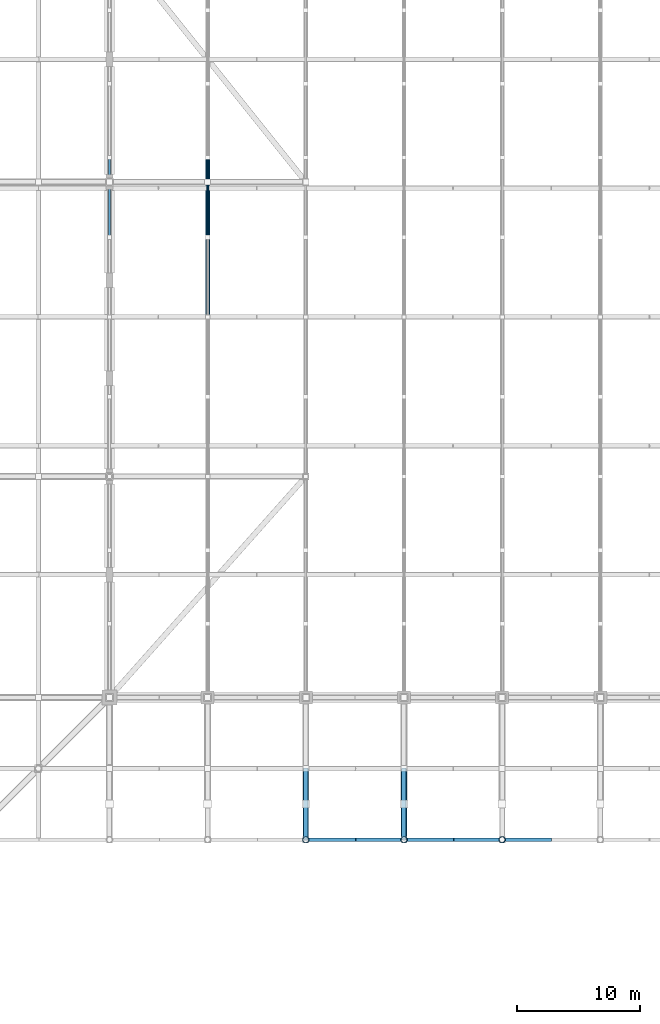
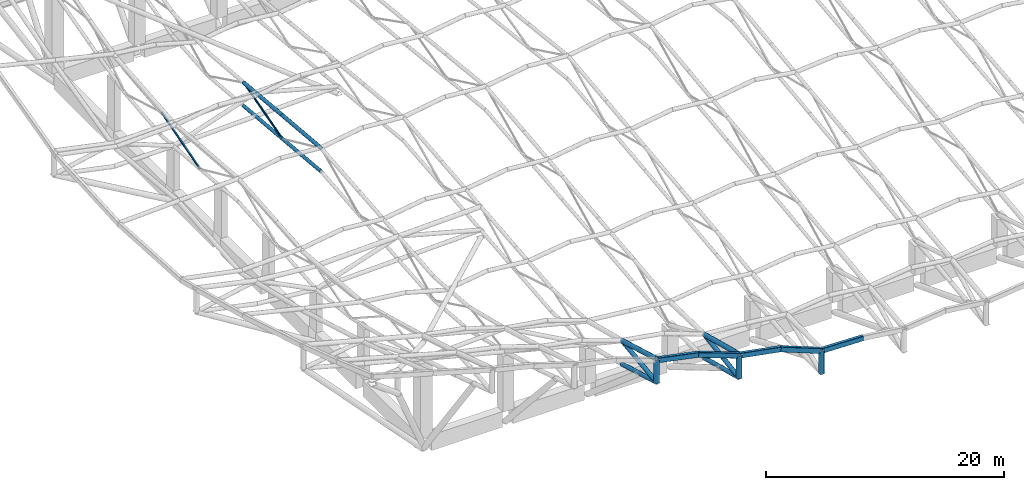
# One storey, part 4 of 75: 15 members, 5 beams.
"""IFC4 building model written with IfcOpenShell, lengths in metres."""

from ifc_helpers import new_model, si_unit, direction, frame, origin, origin_2d, place, context, subcontext, project, spatial, hollow_rectangle, hollow_circle, extrude, material, material_profile, profile_set, type_object, element, save


model = new_model("IFC4")

# Units and contexts
model_context = context("Model", 3, precision=1e-05, world=origin(), true_north=direction((0.0, 1.0)))
body_context = subcontext(model_context, "Body", "Model", "MODEL_VIEW")
ifc_project = project(units=[si_unit("LENGTHUNIT", "METRE"), si_unit("AREAUNIT", "SQUARE_METRE"), si_unit("VOLUMEUNIT", "CUBIC_METRE"), si_unit("PLANEANGLEUNIT", "RADIAN"), si_unit("MASSUNIT", "GRAM", prefix="KILO")], contexts=[model_context])

# Site, building, storey
site_placement = place(None, origin())
site = spatial("IfcSite", under=ifc_project, at=site_placement, CompositionType="ELEMENT")
building_placement = place(site_placement, origin())
building = spatial("IfcBuilding", under=site, at=building_placement, Name="Khorjan Park Terminus", CompositionType="ELEMENT")
storey_placement = place(building_placement, frame((0.0, 0.0, 16.2)))
storey = spatial("IfcBuildingStorey", under=building, at=storey_placement, Name="L03", CompositionType="ELEMENT", Elevation=16.2)

# Members
ifc_material = material(Name="Steel S355", Category="steel")
ifc_material_profile_1 = material_profile(ifc_material, hollow_circle(Radius=0.0969, WallThickness=0.01, at=origin_2d()), Name="CHS 193.7x10")
ifc_profile_set_1 = profile_set([ifc_material_profile_1], Name="Steel S355")
member_type_1 = type_object("IfcMemberType", Name="MB-BR-194", PredefinedType="BRACE", material=ifc_profile_set_1)
member_1_placement = place(storey_placement, frame((56.0, 63.5, 4.8636), z_axis=(0.0, 0.96311775067, 0.269080282341), x_axis=(-1.0, 0.0, 0.0)))
element("IfcMember", 1, at=member_1_placement, inside=storey, type_object=member_type_1, Name="Upper shell fold space-truss web diagonal (2)", PredefinedType="BRACE", context=body_context, shape_type="SweptSolid", body=[
    extrude(hollow_circle(Radius=0.0969, WallThickness=0.01, at=origin_2d()), origin(), (0.0, 0.0, 1.0), 6.7489),
])
ifc_material_profile_2 = material_profile(ifc_material, hollow_rectangle(XDim=0.15, YDim=0.15, WallThickness=0.01, InnerFilletRadius=0.01, OuterFilletRadius=0.02, at=origin_2d()), Name="SHS 150x150x10")
ifc_profile_set_2 = profile_set([ifc_material_profile_2], Name="Steel S355")
member_type_2 = type_object("IfcMemberType", Name="MB-BR-SHS150", PredefinedType="BRACE", material=ifc_profile_set_2)
member_2_placement = place(storey_placement, frame((48.0, 63.5, 4.5675), z_axis=(0.0, 0.961047706575, 0.276382535062), x_axis=(-1.0, 0.0, 0.0)))
element("IfcMember", 2, at=member_2_placement, inside=storey, type_object=member_type_2, Name="Upper shell fold space-truss web diagonal (1)", PredefinedType="BRACE", context=body_context, shape_type="SweptSolid", body=[
    extrude(hollow_rectangle(XDim=0.15, YDim=0.15, WallThickness=0.01, InnerFilletRadius=0.01, OuterFilletRadius=0.02, at=origin_2d()), origin(), (0.0, 0.0, 1.0), 6.7635),
])
ifc_material_profile_3 = material_profile(ifc_material, hollow_circle(Radius=0.162, WallThickness=0.0125, at=origin_2d()), Name="CHS 323.9x12.5")
ifc_profile_set_3 = profile_set([ifc_material_profile_3], Name="Steel S355")
member_type_3 = type_object("IfcMemberType", Name="MB-CH-324", PredefinedType="CHORD", material=ifc_profile_set_3)
for number, where, z_axis, x_axis, name in (
    (3, (56.0, 57.0, 5.4476), (0.0, 0.995988107043, -0.089485700694), (-1.0, 0.0, 0.0), "Upper shell fold space-truss bottom chord (2)"),
    (4, (56.0, 63.5, 4.8636), (0.0, 0.995988107043, -0.089485700694), (-1.0, 0.0, 0.0), "Upper shell fold space-truss bottom chord (2)"),
):
    element("IfcMember", number, at=place(storey_placement, frame(where, z_axis=z_axis, x_axis=x_axis)), inside=storey, type_object=member_type_3, Name=name, PredefinedType="CHORD", context=body_context, shape_type="SweptSolid", body=[
        extrude(hollow_circle(Radius=0.162, WallThickness=0.0125, at=origin_2d()), origin(), (0.0, 0.0, 1.0), 6.5262),
    ])
ifc_material_profile_4 = material_profile(ifc_material, hollow_circle(Radius=0.1778, WallThickness=0.016, at=origin_2d()), Name="CHS 355.6x16")
ifc_profile_set_4 = profile_set([ifc_material_profile_4], Name="Steel S355")
member_type_4 = type_object("IfcMemberType", Name="MB-CH-356", PredefinedType="CHORD", material=ifc_profile_set_4)
for number, where, z_axis, x_axis, name in (
    (5, (56.0, 57.0, 7.8476), (0.0, 0.995988107043, -0.089485700694), (-1.0, 0.0, 0.0), "Upper shell fold space-truss top chord (2)"),
    (6, (56.0, 63.5, 7.2636), (0.0, 0.995988107043, -0.089485700694), (-1.0, 0.0, 0.0), "Upper shell fold space-truss top chord (2)"),
):
    element("IfcMember", number, at=place(storey_placement, frame(where, z_axis=z_axis, x_axis=x_axis)), inside=storey, type_object=member_type_4, Name=name, PredefinedType="CHORD", context=body_context, shape_type="SweptSolid", body=[
        extrude(hollow_circle(Radius=0.1778, WallThickness=0.016, at=origin_2d()), origin(), (0.0, 0.0, 1.0), 6.5262),
    ])
ifc_material_profile_5 = material_profile(ifc_material, hollow_circle(Radius=0.2032, WallThickness=0.016, at=origin_2d()), Name="CHS 406.4x16")
ifc_profile_set_5 = profile_set([ifc_material_profile_5], Name="Steel S355")
member_type_5 = type_object("IfcMemberType", Name="MB-CHE-406", PredefinedType="CHORD", material=ifc_profile_set_5)
member_3_placement = place(storey_placement, frame((64.0, 14.4, 6.8305), z_axis=(0.0, 0.961512686437, -0.274760539052), x_axis=(-1.0, 0.0, 0.0)))
element("IfcMember", 7, at=member_3_placement, inside=storey, type_object=member_type_5, Name="Upper shell fold space-truss bottom chord (3)", PredefinedType="CHORD", context=body_context, shape_type="SweptSolid", body=[
    extrude(hollow_circle(Radius=0.2032, WallThickness=0.016, at=origin_2d()), origin(), (0.0, 0.0, 1.0), 6.0322),
])
member_4_placement = place(storey_placement, frame((72.0, 14.4, 4.5147), z_axis=(0.0, 0.967619044028, -0.252415105796), x_axis=(-1.0, 0.0, 0.0)))
element("IfcMember", 8, at=member_4_placement, inside=storey, type_object=member_type_5, Name="Upper shell fold space-truss bottom chord (4)", PredefinedType="CHORD", context=body_context, shape_type="SweptSolid", body=[
    extrude(hollow_circle(Radius=0.2032, WallThickness=0.016, at=origin_2d()), origin(), (0.0, 0.0, 1.0), 5.9941),
])
ifc_material_profile_6 = material_profile(ifc_material, hollow_circle(Radius=0.2285, WallThickness=0.016, at=origin_2d()), Name="CHS 457x16")
ifc_profile_set_6 = profile_set([ifc_material_profile_6], Name="Steel S355")
member_type_6 = type_object("IfcMemberType", Name="MB-CHE-457", PredefinedType="CHORD", material=ifc_profile_set_6)
member_5_placement = place(storey_placement, frame((64.0, 14.4, 9.2305), z_axis=(0.0, 0.961512686437, -0.274760539052), x_axis=(-1.0, 0.0, 0.0)))
element("IfcMember", 9, at=member_5_placement, inside=storey, type_object=member_type_6, Name="Upper shell fold space-truss top chord (3)", PredefinedType="CHORD", context=body_context, shape_type="SweptSolid", body=[
    extrude(hollow_circle(Radius=0.2285, WallThickness=0.016, at=origin_2d()), origin(), (0.0, 0.0, 1.0), 6.0322),
])
member_6_placement = place(storey_placement, frame((72.0, 14.4, 6.9147), z_axis=(0.0, 0.967619044028, -0.252415105796), x_axis=(-1.0, 0.0, 0.0)))
element("IfcMember", 10, at=member_6_placement, inside=storey, type_object=member_type_6, Name="Upper shell fold space-truss top chord (4)", PredefinedType="CHORD", context=body_context, shape_type="SweptSolid", body=[
    extrude(hollow_circle(Radius=0.2285, WallThickness=0.016, at=origin_2d()), origin(), (0.0, 0.0, 1.0), 5.9941),
])
ifc_material_profile_7 = material_profile(ifc_material, hollow_circle(Radius=0.2032, WallThickness=0.016, at=origin_2d()), Name="CHS 406.4x16")
ifc_profile_set_7 = profile_set([ifc_material_profile_7], Name="Steel S355")
member_type_7 = type_object("IfcMemberType", Name="MB-STE-406", PredefinedType="STRUT", material=ifc_profile_set_7)
member_7_placement = place(storey_placement, frame((64.0, 14.4, 6.8305), z_axis=(0.0, 0.991903000272, 0.126997787587), x_axis=(-1.0, 0.0, 0.0)))
element("IfcMember", 11, at=member_7_placement, inside=storey, type_object=member_type_7, Name="Upper shell fold space-truss web diagonal (3)", PredefinedType="STRUT", context=body_context, shape_type="SweptSolid", body=[
    extrude(hollow_circle(Radius=0.2032, WallThickness=0.016, at=origin_2d()), origin(), (0.0, 0.0, 1.0), 5.8473),
])
member_8_placement = place(storey_placement, frame((72.0, 14.4, 4.5147), z_axis=(0.0, 0.988507254371, 0.151173437005), x_axis=(-1.0, 0.0, 0.0)))
element("IfcMember", 12, at=member_8_placement, inside=storey, type_object=member_type_7, Name="Upper shell fold space-truss web diagonal (4)", PredefinedType="STRUT", context=body_context, shape_type="SweptSolid", body=[
    extrude(hollow_circle(Radius=0.2032, WallThickness=0.016, at=origin_2d()), origin(), (0.0, 0.0, 1.0), 5.8674),
])
ifc_material_profile_8 = material_profile(ifc_material, hollow_circle(Radius=0.254, WallThickness=0.02, at=origin_2d()), Name="CHS 508x20")
ifc_profile_set_8 = profile_set([ifc_material_profile_8], Name="Steel S355")
member_type_8 = type_object("IfcMemberType", Name="MB-STE-508", PredefinedType="STRUT", material=ifc_profile_set_8)
for number, where, z_axis, x_axis, name in (
    (13, (64.0, 14.4, 6.8305), (0.0, 0.0, 1.0), (1.0, 0.0, 0.0), "Upper shell overhang tip post STE-51 (3S)"),
    (14, (72.0, 14.4, 4.5147), (0.0, 0.0, 1.0), (1.0, 0.0, 0.0), "Upper shell overhang tip post STE-51 (4S)"),
    (15, (80.0, 14.4, 2.1989), (0.0, 0.0, 1.0), (1.0, 0.0, 0.0), "Upper shell overhang tip post STE-51 (5S)"),
):
    element("IfcMember", number, at=place(storey_placement, frame(where, z_axis=z_axis, x_axis=x_axis)), inside=storey, type_object=member_type_8, Name=name, PredefinedType="STRUT", context=body_context, shape_type="SweptSolid", body=[
        extrude(hollow_circle(Radius=0.254, WallThickness=0.02, at=origin_2d()), origin(), (0.0, 0.0, 1.0), 2.4),
    ])

# Beams
ifc_material_profile_9 = material_profile(ifc_material, hollow_rectangle(XDim=0.3, YDim=0.5, WallThickness=0.016, InnerFilletRadius=0.016, OuterFilletRadius=0.032, at=origin_2d()), Name="RHS 500x300x16")
ifc_profile_set_9 = profile_set([ifc_material_profile_9], Name="Steel S355")
beam_type = type_object("IfcBeamType", Name="SP-RHS500", PredefinedType="SPANDREL", material=ifc_profile_set_9)
beam_1_placement = place(storey_placement, frame((64.0, 14.4, 9.1305), z_axis=(0.979274319101, 0.0, -0.202538411048), x_axis=(0.0, 1.0, 0.0)))
element("IfcBeam", 16, at=beam_1_placement, inside=storey, type_object=beam_type, Name="Upper folded shell upturned perimeter edge beam SP-R50 (7)", PredefinedType="SPANDREL", context=body_context, shape_type="SweptSolid", body=[
    extrude(hollow_rectangle(XDim=0.3, YDim=0.5, WallThickness=0.016, InnerFilletRadius=0.016, OuterFilletRadius=0.032, at=origin_2d()), origin(), (0.0, 0.0, 1.0), 4.0847),
])
beam_2_placement = place(storey_placement, frame((68.0, 14.4, 8.3032), z_axis=(0.937212055598, 0.0, -0.348760036189), x_axis=(0.0, 1.0, 0.0)))
element("IfcBeam", 17, at=beam_2_placement, inside=storey, type_object=beam_type, Name="Upper folded shell upturned perimeter edge beam SP-R50 (8)", PredefinedType="SPANDREL", context=body_context, shape_type="SweptSolid", body=[
    extrude(hollow_rectangle(XDim=0.3, YDim=0.5, WallThickness=0.016, InnerFilletRadius=0.016, OuterFilletRadius=0.032, at=origin_2d()), origin(), (0.0, 0.0, 1.0), 4.268),
])
beam_3_placement = place(storey_placement, frame((72.0, 14.4, 6.8147), z_axis=(0.983155941904, 0.0, -0.1827686896), x_axis=(0.0, 1.0, 0.0)))
element("IfcBeam", 18, at=beam_3_placement, inside=storey, type_object=beam_type, Name="Upper folded shell upturned perimeter edge beam SP-R50 (9)", PredefinedType="SPANDREL", context=body_context, shape_type="SweptSolid", body=[
    extrude(hollow_rectangle(XDim=0.3, YDim=0.5, WallThickness=0.016, InnerFilletRadius=0.016, OuterFilletRadius=0.032, at=origin_2d()), origin(), (0.0, 0.0, 1.0), 4.0685),
])
beam_4_placement = place(storey_placement, frame((76.0, 14.4, 6.0711), z_axis=(0.930690394254, 0.0, -0.365807859461), x_axis=(0.0, 1.0, 0.0)))
element("IfcBeam", 19, at=beam_4_placement, inside=storey, type_object=beam_type, Name="Upper folded shell upturned perimeter edge beam SP-R50 (10)", PredefinedType="SPANDREL", context=body_context, shape_type="SweptSolid", body=[
    extrude(hollow_rectangle(XDim=0.3, YDim=0.5, WallThickness=0.016, InnerFilletRadius=0.016, OuterFilletRadius=0.032, at=origin_2d()), origin(), (0.0, 0.0, 1.0), 4.2979),
])
beam_5_placement = place(storey_placement, frame((80.0, 14.4, 4.4989), z_axis=(0.999675670041, 0.0, -0.025466737694), x_axis=(0.0, 1.0, 0.0)))
element("IfcBeam", 20, at=beam_5_placement, inside=storey, type_object=beam_type, Name="Upper folded shell upturned perimeter edge beam SP-R50 (11)", PredefinedType="SPANDREL", context=body_context, shape_type="SweptSolid", body=[
    extrude(hollow_rectangle(XDim=0.3, YDim=0.5, WallThickness=0.016, InnerFilletRadius=0.016, OuterFilletRadius=0.032, at=origin_2d()), origin(), (0.0, 0.0, 1.0), 4.0013),
])

save(model, "model.ifc")
